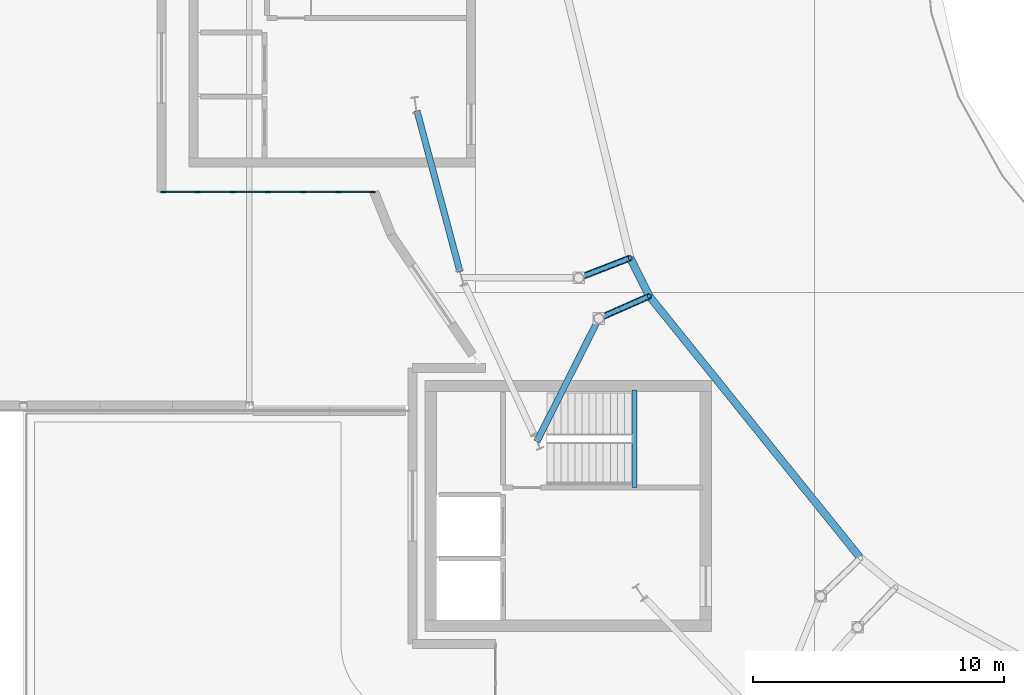
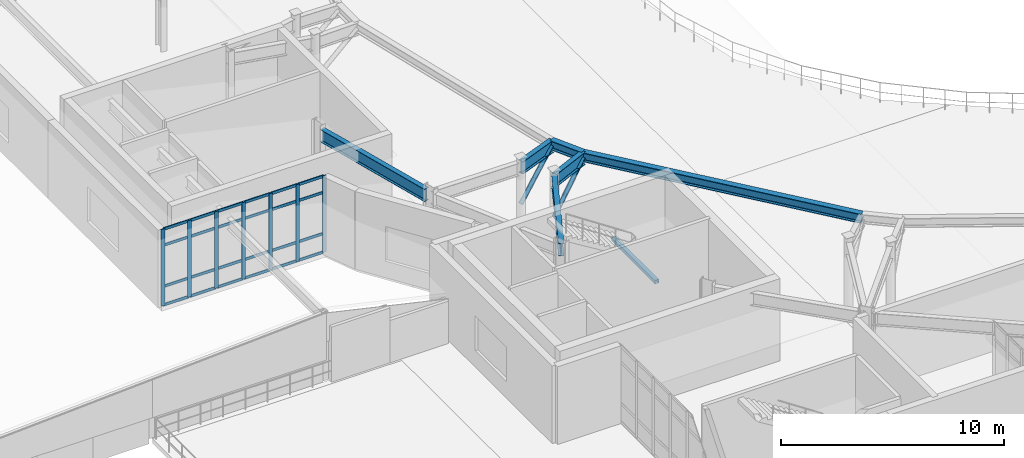
# One storey, part 15 of 48: 33 members, 7 beams, 1 element without a shape of its own.
"""IFC4 building model written with IfcOpenShell, lengths in metres."""

from ifc_helpers import new_model, si_unit, direction, frame, origin, origin_2d, place, context, subcontext, project, spatial, rectangle, hollow_rectangle, hollow_circle, i_section, extrude, material, material_profile, profile_set, type_object, element, aggregate, save


model = new_model("IFC4")

# Units and contexts
model_context = context("Model", 3, precision=1e-05, world=origin(), true_north=direction((0.0, 1.0)))
body_context = subcontext(model_context, "Body", "Model", "MODEL_VIEW")
ifc_project = project(units=[si_unit("LENGTHUNIT", "METRE"), si_unit("AREAUNIT", "SQUARE_METRE"), si_unit("VOLUMEUNIT", "CUBIC_METRE"), si_unit("PLANEANGLEUNIT", "RADIAN"), si_unit("MASSUNIT", "GRAM", prefix="KILO")], contexts=[model_context])

# Site, building, storey
site_placement = place(None, origin())
site = spatial("IfcSite", under=ifc_project, at=site_placement, CompositionType="ELEMENT")
building_placement = place(site_placement, origin())
building = spatial("IfcBuilding", under=site, at=building_placement, Name="Glasvene Arena", CompositionType="ELEMENT")
storey_placement = place(building_placement, frame((0.0, 0.0, 19.5)))
storey = spatial("IfcBuildingStorey", under=building, at=storey_placement, Name="L04", CompositionType="ELEMENT", Elevation=19.5)

# Beams
ifc_material_1 = material(Name="Steel S355J2", Category="steel")
ifc_material_profile_1 = material_profile(ifc_material_1, i_section(OverallWidth=0.300048828125, OverallDepth=0.5, WebThickness=0.014404296875, FlangeThickness=0.028076171875, FilletRadius=0.027099609375, at=origin_2d()), Name="HEB 500")
ifc_profile_set_1 = profile_set([ifc_material_profile_1], Name="Steel S355J2")
beam_type_1 = type_object("IfcBeamType", Name="BM-EAVE-CANT", PredefinedType="BEAM", material=ifc_profile_set_1)
beam_1_placement = place(storey_placement, frame((51.164306640625, 59.873046875, 4.0), z_axis=(0.447041372235, -0.894513281908, 0.0), x_axis=(0.894513281908, 0.447041372235, 0.0)))
element("IfcBeam", 1, at=beam_1_placement, inside=storey, type_object=beam_type_1, Name="Gondola inner ring girder 18", PredefinedType="BEAM", context=body_context, shape_type="SweptSolid", body=[
    extrude(i_section(OverallWidth=0.300048828125, OverallDepth=0.5, WebThickness=0.014404296875, FlangeThickness=0.028076171875, FilletRadius=0.027099609375, at=origin_2d()), origin(), (0.0, 0.0, 1.0), 1.701171875),
])
beam_2_placement = place(storey_placement, frame((51.9248046875, 58.351318359375, 4.0), z_axis=(0.627641676125, -0.778502361198, 0.0), x_axis=(0.778502361198, 0.627641676125, 0.0)))
element("IfcBeam", 2, at=beam_2_placement, inside=storey, type_object=beam_type_1, Name="Gondola inner ring girder 19", PredefinedType="BEAM", context=body_context, shape_type="SweptSolid", body=[
    extrude(i_section(OverallWidth=0.300048828125, OverallDepth=0.5, WebThickness=0.014404296875, FlangeThickness=0.028076171875, FilletRadius=0.027099609375, at=origin_2d()), origin(), (0.0, 0.0, 1.0), 13.39794921875),
])
ifc_material_profile_2 = material_profile(ifc_material_1, i_section(OverallWidth=0.253662109375, OverallDepth=0.68359375, WebThickness=0.012451171875, FlangeThickness=0.01904296875, FilletRadius=0.01513671875, at=origin_2d()), Name="UKB 686x254x140")
ifc_profile_set_2 = profile_set([ifc_material_profile_2], Name="Steel S355J2")
beam_type_2 = type_object("IfcBeamType", Name="BM-GIRD-686", PredefinedType="BEAM", material=ifc_profile_set_2)
beam_3_placement = place(storey_placement, frame((42.677490234375, 65.728515625, 3.908203125), z_axis=(0.257729153992, -0.966217202901, 0.0), x_axis=(0.966217202901, 0.257729153992, 0.0)))
element("IfcBeam", 3, at=beam_3_placement, inside=storey, type_object=beam_type_2, Name="Bowl ring chord beam L04-22", PredefinedType="BEAM", context=body_context, shape_type="SweptSolid", body=[
    extrude(i_section(OverallWidth=0.253662109375, OverallDepth=0.68359375, WebThickness=0.012451171875, FlangeThickness=0.01904296875, FilletRadius=0.01513671875, at=origin_2d()), origin(), (0.0, 0.0, 1.0), 6.626220703125),
])
beam_4_placement = place(storey_placement, frame((51.164306640625, 59.873046875, 3.908203125), z_axis=(-0.932320846593, -0.361632187461, 0.0), x_axis=(0.361632187461, -0.932320846593, 0.0)))
element("IfcBeam", 4, at=beam_4_placement, inside=storey, type_object=beam_type_2, Name="Gondola inner bracket beam 18", PredefinedType="BEAM", context=body_context, shape_type="SweptSolid", body=[
    extrude(i_section(OverallWidth=0.253662109375, OverallDepth=0.68359375, WebThickness=0.012451171875, FlangeThickness=0.01904296875, FilletRadius=0.01513671875, at=origin_2d()), origin(), (0.0, 0.0, 1.0), 2.2001953125),
])
beam_5_placement = place(storey_placement, frame((49.911865234375, 57.46337890625, 3.908203125), z_axis=(-0.449494152887, -0.893283273391, 0.0), x_axis=(0.893283273391, -0.449494152887, 0.0)))
element("IfcBeam", 5, at=beam_5_placement, inside=storey, type_object=beam_type_2, Name="Gondola outer floor beam 19", PredefinedType="BEAM", context=body_context, shape_type="SweptSolid", body=[
    extrude(i_section(OverallWidth=0.253662109375, OverallDepth=0.68359375, WebThickness=0.012451171875, FlangeThickness=0.01904296875, FilletRadius=0.01513671875, at=origin_2d()), origin(), (0.0, 0.0, 1.0), 5.4775390625),
])
beam_6_placement = place(storey_placement, frame((51.9248046875, 58.351318359375, 3.908203125), z_axis=(-0.914938290662, -0.403593761448, 0.0), x_axis=(0.403593761448, -0.914938290662, 0.0)))
element("IfcBeam", 6, at=beam_6_placement, inside=storey, type_object=beam_type_2, Name="Gondola inner bracket beam 19", PredefinedType="BEAM", context=body_context, shape_type="SweptSolid", body=[
    extrude(i_section(OverallWidth=0.253662109375, OverallDepth=0.68359375, WebThickness=0.012451171875, FlangeThickness=0.01904296875, FilletRadius=0.01513671875, at=origin_2d()), origin(), (0.0, 0.0, 1.0), 2.2001953125),
])
ifc_material_profile_3 = material_profile(ifc_material_1, hollow_rectangle(XDim=0.199951171875, YDim=0.199951171875, WallThickness=0.010009765625, at=origin_2d()), Name="SHS 200x200x10.0")
ifc_profile_set_3 = profile_set([ifc_material_profile_3], Name="Steel S355J2")
beam_type_3 = type_object("IfcBeamType", Name="BM-LINTEL-200", PredefinedType="LINTEL", material=ifc_profile_set_3)
beam_7_placement = place(storey_placement, frame((51.330078125, 50.72998046875, 1.929931640625), z_axis=(0.0, 1.0, 0.0), x_axis=(-1.0, 0.0, 0.0)))
element("IfcBeam", 7, at=beam_7_placement, inside=storey, type_object=beam_type_3, Name="Stair half-landing support beam ST-03-L04", PredefinedType="LINTEL", context=body_context, shape_type="SweptSolid", body=[
    extrude(hollow_rectangle(XDim=0.199951171875, YDim=0.199951171875, WallThickness=0.010009765625, at=origin_2d()), origin(), (0.0, 0.0, 1.0), 3.89013671875),
])

# Curtain wall, members
ifc_material_2 = material(Name="Low-emissivity laminated double glazing", Category="glass")
curtain_wall_type = type_object("IfcCurtainWallType", Name="CW-FAC-L04-840x419", PredefinedType="USERDEFINED", material=ifc_material_2)
curtain_wall_placement = place(storey_placement, frame((40.93603515625, 62.5, 0.0)))
curtain_wall = element("IfcCurtainWall", 8, at=curtain_wall_placement, inside=storey, type_object=curtain_wall_type, Name="Unitised curtain wall CW-F-L04-180-367-625-10", ObjectType="CURTAIN WALL", PredefinedType="USERDEFINED")
ifc_material_3 = material(Name="Anodised architectural aluminium", Category="aluminium")
ifc_material_profile_4 = material_profile(ifc_material_3, rectangle(XDim=0.050048828125, YDim=0.199951171875, at=origin_2d()), Name="ALU MULLION 50x200")
ifc_profile_set_4 = profile_set([ifc_material_profile_4], Name="Anodised architectural aluminium")
member_type_1 = type_object("IfcMemberType", Name="CW-MUL-180", PredefinedType="MULLION", material=ifc_profile_set_4)
member_1_placement = place(storey_placement, frame((40.910888671875, 62.5, 0.06005859375), z_axis=(0.0, 0.0, 1.0), x_axis=(0.0, -1.0, 0.0)))
member_1 = element("IfcMember", 9, at=member_1_placement, type_object=member_type_1, Name="CW-046 mullion 1", PredefinedType="MULLION", context=body_context, shape_type="SweptSolid", body=[
    extrude(rectangle(XDim=0.050048828125, YDim=0.199951171875, at=origin_2d()), origin(), (0.0, 0.0, 1.0), 4.18994140625),
])
member_2_placement = place(storey_placement, frame((39.53662109375, 62.5, 0.06005859375), z_axis=(0.0, 0.0, 1.0), x_axis=(0.0, -1.0, 0.0)))
member_2 = element("IfcMember", 10, at=member_2_placement, type_object=member_type_1, Name="CW-046 mullion 2", PredefinedType="MULLION", context=body_context, shape_type="SweptSolid", body=[
    extrude(rectangle(XDim=0.050048828125, YDim=0.199951171875, at=origin_2d()), origin(), (0.0, 0.0, 1.0), 4.18994140625),
])
member_3_placement = place(storey_placement, frame((38.137451171875, 62.5, 0.06005859375), z_axis=(0.0, 0.0, 1.0), x_axis=(0.0, -1.0, 0.0)))
member_3 = element("IfcMember", 11, at=member_3_placement, type_object=member_type_1, Name="CW-046 mullion 3", PredefinedType="MULLION", context=body_context, shape_type="SweptSolid", body=[
    extrude(rectangle(XDim=0.050048828125, YDim=0.199951171875, at=origin_2d()), origin(), (0.0, 0.0, 1.0), 4.18994140625),
])
member_4_placement = place(storey_placement, frame((36.738037109375, 62.5, 0.06005859375), z_axis=(0.0, 0.0, 1.0), x_axis=(0.0, -1.0, 0.0)))
member_4 = element("IfcMember", 12, at=member_4_placement, type_object=member_type_1, Name="CW-046 mullion 4", PredefinedType="MULLION", context=body_context, shape_type="SweptSolid", body=[
    extrude(rectangle(XDim=0.050048828125, YDim=0.199951171875, at=origin_2d()), origin(), (0.0, 0.0, 1.0), 4.18994140625),
])
member_5_placement = place(storey_placement, frame((35.338623046875, 62.5, 0.06005859375), z_axis=(0.0, 0.0, 1.0), x_axis=(0.0, -1.0, 0.0)))
member_5 = element("IfcMember", 13, at=member_5_placement, type_object=member_type_1, Name="CW-046 mullion 5", PredefinedType="MULLION", context=body_context, shape_type="SweptSolid", body=[
    extrude(rectangle(XDim=0.050048828125, YDim=0.199951171875, at=origin_2d()), origin(), (0.0, 0.0, 1.0), 4.18994140625),
])
member_6_placement = place(storey_placement, frame((33.939453125, 62.5, 0.06005859375), z_axis=(0.0, 0.0, 1.0), x_axis=(0.0, -1.0, 0.0)))
member_6 = element("IfcMember", 14, at=member_6_placement, type_object=member_type_1, Name="CW-046 mullion 6", PredefinedType="MULLION", context=body_context, shape_type="SweptSolid", body=[
    extrude(rectangle(XDim=0.050048828125, YDim=0.199951171875, at=origin_2d()), origin(), (0.0, 0.0, 1.0), 4.18994140625),
])
member_7_placement = place(storey_placement, frame((32.56494140625, 62.5, 0.06005859375), z_axis=(0.0, 0.0, 1.0), x_axis=(0.0, -1.0, 0.0)))
member_7 = element("IfcMember", 15, at=member_7_placement, type_object=member_type_1, Name="CW-046 mullion 7", PredefinedType="MULLION", context=body_context, shape_type="SweptSolid", body=[
    extrude(rectangle(XDim=0.050048828125, YDim=0.199951171875, at=origin_2d()), origin(), (0.0, 0.0, 1.0), 4.18994140625),
])
ifc_material_profile_5 = material_profile(ifc_material_3, rectangle(XDim=0.050048828125, YDim=0.14990234375, at=origin_2d()), Name="ALU TRANSOM 50x150")
ifc_profile_set_5 = profile_set([ifc_material_profile_5], Name="Anodised architectural aluminium")
member_type_2 = type_object("IfcMemberType", Name="CW-TRN-150", PredefinedType="USERDEFINED", material=ifc_profile_set_5)
member_8_placement = place(storey_placement, frame((40.885986328125, 62.5, 0.0849609375), z_axis=(-1.0, 0.0, 0.0), x_axis=(0.0, -1.0, 0.0)))
member_8 = element("IfcMember", 16, at=member_8_placement, type_object=member_type_2, Name="CW-046 transom 1.1", ObjectType="TRANSOM", PredefinedType="USERDEFINED", context=body_context, shape_type="SweptSolid", body=[
    extrude(rectangle(XDim=0.050048828125, YDim=0.14990234375, at=origin_2d()), origin(), (0.0, 0.0, 1.0), 1.32421875),
])
member_9_placement = place(storey_placement, frame((40.885986328125, 62.5, 1.10009765625), z_axis=(-1.0, 0.0, 0.0), x_axis=(0.0, -1.0, 0.0)))
member_9 = element("IfcMember", 17, at=member_9_placement, type_object=member_type_2, Name="CW-046 transom 1.2", ObjectType="TRANSOM", PredefinedType="USERDEFINED", context=body_context, shape_type="SweptSolid", body=[
    extrude(rectangle(XDim=0.050048828125, YDim=0.14990234375, at=origin_2d()), origin(), (0.0, 0.0, 1.0), 1.32421875),
])
member_10_placement = place(storey_placement, frame((40.885986328125, 62.5, 3.35009765625), z_axis=(-1.0, 0.0, 0.0), x_axis=(0.0, -1.0, 0.0)))
member_10 = element("IfcMember", 18, at=member_10_placement, type_object=member_type_2, Name="CW-046 transom 1.3", ObjectType="TRANSOM", PredefinedType="USERDEFINED", context=body_context, shape_type="SweptSolid", body=[
    extrude(rectangle(XDim=0.050048828125, YDim=0.14990234375, at=origin_2d()), origin(), (0.0, 0.0, 1.0), 1.32421875),
])
member_11_placement = place(storey_placement, frame((40.885986328125, 62.5, 4.22509765625), z_axis=(-1.0, 0.0, 0.0), x_axis=(0.0, -1.0, 0.0)))
member_11 = element("IfcMember", 19, at=member_11_placement, type_object=member_type_2, Name="CW-046 transom 1.4", ObjectType="TRANSOM", PredefinedType="USERDEFINED", context=body_context, shape_type="SweptSolid", body=[
    extrude(rectangle(XDim=0.050048828125, YDim=0.14990234375, at=origin_2d()), origin(), (0.0, 0.0, 1.0), 1.32421875),
])
member_12_placement = place(storey_placement, frame((39.51171875, 62.5, 0.0849609375), z_axis=(-1.0, 0.0, 0.0), x_axis=(0.0, -1.0, 0.0)))
member_12 = element("IfcMember", 20, at=member_12_placement, type_object=member_type_2, Name="CW-046 transom 2.1", ObjectType="TRANSOM", PredefinedType="USERDEFINED", context=body_context, shape_type="SweptSolid", body=[
    extrude(rectangle(XDim=0.050048828125, YDim=0.14990234375, at=origin_2d()), origin(), (0.0, 0.0, 1.0), 1.349365234375),
])
member_13_placement = place(storey_placement, frame((39.51171875, 62.5, 1.10009765625), z_axis=(-1.0, 0.0, 0.0), x_axis=(0.0, -1.0, 0.0)))
member_13 = element("IfcMember", 21, at=member_13_placement, type_object=member_type_2, Name="CW-046 transom 2.2", ObjectType="TRANSOM", PredefinedType="USERDEFINED", context=body_context, shape_type="SweptSolid", body=[
    extrude(rectangle(XDim=0.050048828125, YDim=0.14990234375, at=origin_2d()), origin(), (0.0, 0.0, 1.0), 1.349365234375),
])
member_14_placement = place(storey_placement, frame((39.51171875, 62.5, 3.35009765625), z_axis=(-1.0, 0.0, 0.0), x_axis=(0.0, -1.0, 0.0)))
member_14 = element("IfcMember", 22, at=member_14_placement, type_object=member_type_2, Name="CW-046 transom 2.3", ObjectType="TRANSOM", PredefinedType="USERDEFINED", context=body_context, shape_type="SweptSolid", body=[
    extrude(rectangle(XDim=0.050048828125, YDim=0.14990234375, at=origin_2d()), origin(), (0.0, 0.0, 1.0), 1.349365234375),
])
member_15_placement = place(storey_placement, frame((39.51171875, 62.5, 4.22509765625), z_axis=(-1.0, 0.0, 0.0), x_axis=(0.0, -1.0, 0.0)))
member_15 = element("IfcMember", 23, at=member_15_placement, type_object=member_type_2, Name="CW-046 transom 2.4", ObjectType="TRANSOM", PredefinedType="USERDEFINED", context=body_context, shape_type="SweptSolid", body=[
    extrude(rectangle(XDim=0.050048828125, YDim=0.14990234375, at=origin_2d()), origin(), (0.0, 0.0, 1.0), 1.349365234375),
])
member_16_placement = place(storey_placement, frame((38.1123046875, 62.5, 0.0849609375), z_axis=(-1.0, 0.0, 0.0), x_axis=(0.0, -1.0, 0.0)))
member_16 = element("IfcMember", 24, at=member_16_placement, type_object=member_type_2, Name="CW-046 transom 3.1", ObjectType="TRANSOM", PredefinedType="USERDEFINED", context=body_context, shape_type="SweptSolid", body=[
    extrude(rectangle(XDim=0.050048828125, YDim=0.14990234375, at=origin_2d()), origin(), (0.0, 0.0, 1.0), 1.349365234375),
])
member_17_placement = place(storey_placement, frame((38.1123046875, 62.5, 1.10009765625), z_axis=(-1.0, 0.0, 0.0), x_axis=(0.0, -1.0, 0.0)))
member_17 = element("IfcMember", 25, at=member_17_placement, type_object=member_type_2, Name="CW-046 transom 3.2", ObjectType="TRANSOM", PredefinedType="USERDEFINED", context=body_context, shape_type="SweptSolid", body=[
    extrude(rectangle(XDim=0.050048828125, YDim=0.14990234375, at=origin_2d()), origin(), (0.0, 0.0, 1.0), 1.349365234375),
])
member_18_placement = place(storey_placement, frame((38.1123046875, 62.5, 3.35009765625), z_axis=(-1.0, 0.0, 0.0), x_axis=(0.0, -1.0, 0.0)))
member_18 = element("IfcMember", 26, at=member_18_placement, type_object=member_type_2, Name="CW-046 transom 3.3", ObjectType="TRANSOM", PredefinedType="USERDEFINED", context=body_context, shape_type="SweptSolid", body=[
    extrude(rectangle(XDim=0.050048828125, YDim=0.14990234375, at=origin_2d()), origin(), (0.0, 0.0, 1.0), 1.349365234375),
])
member_19_placement = place(storey_placement, frame((38.1123046875, 62.5, 4.22509765625), z_axis=(-1.0, 0.0, 0.0), x_axis=(0.0, -1.0, 0.0)))
member_19 = element("IfcMember", 27, at=member_19_placement, type_object=member_type_2, Name="CW-046 transom 3.4", ObjectType="TRANSOM", PredefinedType="USERDEFINED", context=body_context, shape_type="SweptSolid", body=[
    extrude(rectangle(XDim=0.050048828125, YDim=0.14990234375, at=origin_2d()), origin(), (0.0, 0.0, 1.0), 1.349365234375),
])
member_20_placement = place(storey_placement, frame((36.712890625, 62.5, 0.0849609375), z_axis=(-1.0, 0.0, 0.0), x_axis=(0.0, -1.0, 0.0)))
member_20 = element("IfcMember", 28, at=member_20_placement, type_object=member_type_2, Name="CW-046 transom 4.1", ObjectType="TRANSOM", PredefinedType="USERDEFINED", context=body_context, shape_type="SweptSolid", body=[
    extrude(rectangle(XDim=0.050048828125, YDim=0.14990234375, at=origin_2d()), origin(), (0.0, 0.0, 1.0), 1.34912109375),
])
member_21_placement = place(storey_placement, frame((36.712890625, 62.5, 1.10009765625), z_axis=(-1.0, 0.0, 0.0), x_axis=(0.0, -1.0, 0.0)))
member_21 = element("IfcMember", 29, at=member_21_placement, type_object=member_type_2, Name="CW-046 transom 4.2", ObjectType="TRANSOM", PredefinedType="USERDEFINED", context=body_context, shape_type="SweptSolid", body=[
    extrude(rectangle(XDim=0.050048828125, YDim=0.14990234375, at=origin_2d()), origin(), (0.0, 0.0, 1.0), 1.34912109375),
])
member_22_placement = place(storey_placement, frame((36.712890625, 62.5, 3.35009765625), z_axis=(-1.0, 0.0, 0.0), x_axis=(0.0, -1.0, 0.0)))
member_22 = element("IfcMember", 30, at=member_22_placement, type_object=member_type_2, Name="CW-046 transom 4.3", ObjectType="TRANSOM", PredefinedType="USERDEFINED", context=body_context, shape_type="SweptSolid", body=[
    extrude(rectangle(XDim=0.050048828125, YDim=0.14990234375, at=origin_2d()), origin(), (0.0, 0.0, 1.0), 1.34912109375),
])
member_23_placement = place(storey_placement, frame((36.712890625, 62.5, 4.22509765625), z_axis=(-1.0, 0.0, 0.0), x_axis=(0.0, -1.0, 0.0)))
member_23 = element("IfcMember", 31, at=member_23_placement, type_object=member_type_2, Name="CW-046 transom 4.4", ObjectType="TRANSOM", PredefinedType="USERDEFINED", context=body_context, shape_type="SweptSolid", body=[
    extrude(rectangle(XDim=0.050048828125, YDim=0.14990234375, at=origin_2d()), origin(), (0.0, 0.0, 1.0), 1.34912109375),
])
member_24_placement = place(storey_placement, frame((35.313720703125, 62.5, 0.0849609375), z_axis=(-1.0, 0.0, 0.0), x_axis=(0.0, -1.0, 0.0)))
member_24 = element("IfcMember", 32, at=member_24_placement, type_object=member_type_2, Name="CW-046 transom 5.1", ObjectType="TRANSOM", PredefinedType="USERDEFINED", context=body_context, shape_type="SweptSolid", body=[
    extrude(rectangle(XDim=0.050048828125, YDim=0.14990234375, at=origin_2d()), origin(), (0.0, 0.0, 1.0), 1.349365234375),
])
member_25_placement = place(storey_placement, frame((35.313720703125, 62.5, 1.10009765625), z_axis=(-1.0, 0.0, 0.0), x_axis=(0.0, -1.0, 0.0)))
member_25 = element("IfcMember", 33, at=member_25_placement, type_object=member_type_2, Name="CW-046 transom 5.2", ObjectType="TRANSOM", PredefinedType="USERDEFINED", context=body_context, shape_type="SweptSolid", body=[
    extrude(rectangle(XDim=0.050048828125, YDim=0.14990234375, at=origin_2d()), origin(), (0.0, 0.0, 1.0), 1.349365234375),
])
member_26_placement = place(storey_placement, frame((35.313720703125, 62.5, 3.35009765625), z_axis=(-1.0, 0.0, 0.0), x_axis=(0.0, -1.0, 0.0)))
member_26 = element("IfcMember", 34, at=member_26_placement, type_object=member_type_2, Name="CW-046 transom 5.3", ObjectType="TRANSOM", PredefinedType="USERDEFINED", context=body_context, shape_type="SweptSolid", body=[
    extrude(rectangle(XDim=0.050048828125, YDim=0.14990234375, at=origin_2d()), origin(), (0.0, 0.0, 1.0), 1.349365234375),
])
member_27_placement = place(storey_placement, frame((35.313720703125, 62.5, 4.22509765625), z_axis=(-1.0, 0.0, 0.0), x_axis=(0.0, -1.0, 0.0)))
member_27 = element("IfcMember", 35, at=member_27_placement, type_object=member_type_2, Name="CW-046 transom 5.4", ObjectType="TRANSOM", PredefinedType="USERDEFINED", context=body_context, shape_type="SweptSolid", body=[
    extrude(rectangle(XDim=0.050048828125, YDim=0.14990234375, at=origin_2d()), origin(), (0.0, 0.0, 1.0), 1.349365234375),
])
member_28_placement = place(storey_placement, frame((33.914306640625, 62.5, 0.0849609375), z_axis=(-1.0, 0.0, 0.0), x_axis=(0.0, -1.0, 0.0)))
member_28 = element("IfcMember", 36, at=member_28_placement, type_object=member_type_2, Name="CW-046 transom 6.1", ObjectType="TRANSOM", PredefinedType="USERDEFINED", context=body_context, shape_type="SweptSolid", body=[
    extrude(rectangle(XDim=0.050048828125, YDim=0.14990234375, at=origin_2d()), origin(), (0.0, 0.0, 1.0), 1.32421875),
])
member_29_placement = place(storey_placement, frame((33.914306640625, 62.5, 1.10009765625), z_axis=(-1.0, 0.0, 0.0), x_axis=(0.0, -1.0, 0.0)))
member_29 = element("IfcMember", 37, at=member_29_placement, type_object=member_type_2, Name="CW-046 transom 6.2", ObjectType="TRANSOM", PredefinedType="USERDEFINED", context=body_context, shape_type="SweptSolid", body=[
    extrude(rectangle(XDim=0.050048828125, YDim=0.14990234375, at=origin_2d()), origin(), (0.0, 0.0, 1.0), 1.32421875),
])
member_30_placement = place(storey_placement, frame((33.914306640625, 62.5, 3.35009765625), z_axis=(-1.0, 0.0, 0.0), x_axis=(0.0, -1.0, 0.0)))
member_30 = element("IfcMember", 38, at=member_30_placement, type_object=member_type_2, Name="CW-046 transom 6.3", ObjectType="TRANSOM", PredefinedType="USERDEFINED", context=body_context, shape_type="SweptSolid", body=[
    extrude(rectangle(XDim=0.050048828125, YDim=0.14990234375, at=origin_2d()), origin(), (0.0, 0.0, 1.0), 1.32421875),
])
member_31_placement = place(storey_placement, frame((33.914306640625, 62.5, 4.22509765625), z_axis=(-1.0, 0.0, 0.0), x_axis=(0.0, -1.0, 0.0)))
member_31 = element("IfcMember", 39, at=member_31_placement, type_object=member_type_2, Name="CW-046 transom 6.4", ObjectType="TRANSOM", PredefinedType="USERDEFINED", context=body_context, shape_type="SweptSolid", body=[
    extrude(rectangle(XDim=0.050048828125, YDim=0.14990234375, at=origin_2d()), origin(), (0.0, 0.0, 1.0), 1.32421875),
])
aggregate(curtain_wall, [member_1, member_2, member_3, member_4, member_5, member_6, member_7, member_8, member_9, member_10, member_11, member_12, member_13, member_14, member_15, member_16, member_17, member_18, member_19, member_20, member_21, member_22, member_23, member_24, member_25, member_26, member_27, member_28, member_29, member_30, member_31])

# Members
ifc_material_profile_6 = material_profile(ifc_material_1, hollow_circle(Radius=0.109619140625, WallThickness=0.010009765625, at=origin_2d()), Name="CHS 219.1x10.0")
ifc_profile_set_6 = profile_set([ifc_material_profile_6], Name="Steel S355J2")
member_type_3 = type_object("IfcMemberType", Name="MB-WEB-CHS219", PredefinedType="BRACE", material=ifc_profile_set_6)
for number, where, z_axis, x_axis, name in (
    (40, (49.113037109375, 59.077392578125, 1.89990234375), (0.689886462511, 0.267595808299, 0.672643406438), (-0.361632187461, 0.932320846593, 0.0), "Gondola inclined knee strut 18"),
    (41, (49.911865234375, 57.46337890625, 1.89990234375), (0.677010952243, 0.298640246611, 0.672659032235), (-0.403593761448, 0.914938290662, 0.0), "Gondola inclined knee strut 19"),
):
    element("IfcMember", number, at=place(storey_placement, frame(where, z_axis=z_axis, x_axis=x_axis)), inside=storey, type_object=member_type_3, Name=name, PredefinedType="BRACE", context=body_context, shape_type="SweptSolid", body=[
        extrude(hollow_circle(Radius=0.109619140625, WallThickness=0.010009765625, at=origin_2d()), origin(), (0.0, 0.0, 1.0), 2.973388671875),
    ])

save(model, "model.ifc")
